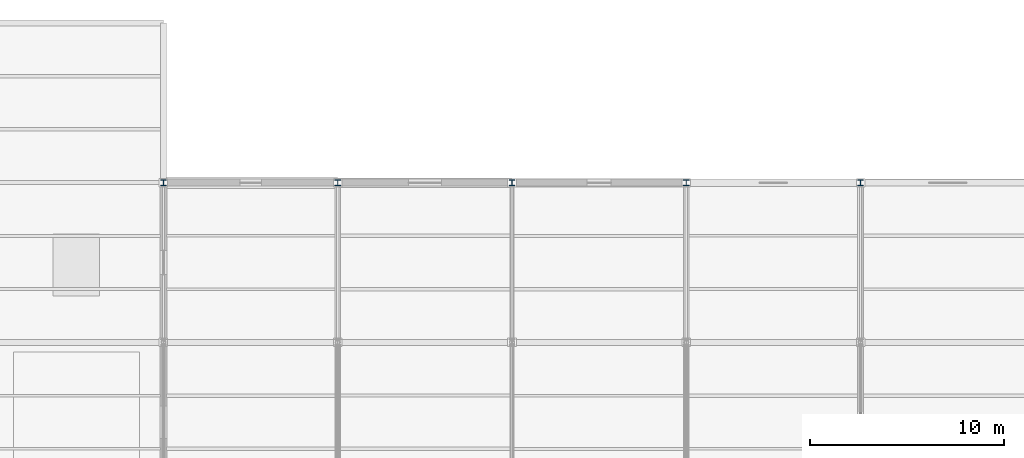
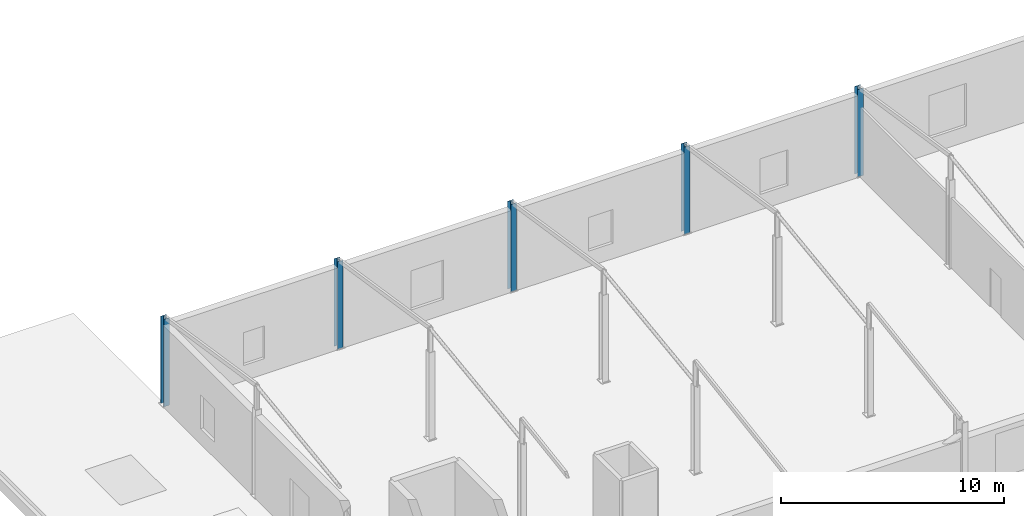
# One storey, part 5 of 54: 5 columns.
"""IFC4 building model written with IfcOpenShell, lengths in metres."""

from ifc_helpers import new_model, si_unit, direction, frame, origin, origin_2d, place, context, subcontext, project, spatial, i_section, extrude, material, material_profile, profile_set, type_object, element, save


model = new_model("IFC4")

# Units and contexts
model_context = context("Model", 3, precision=1e-05, world=origin(), true_north=direction((0.0, 1.0)))
body_context = subcontext(model_context, "Body", "Model", "MODEL_VIEW")
ifc_project = project(units=[si_unit("LENGTHUNIT", "METRE"), si_unit("AREAUNIT", "SQUARE_METRE"), si_unit("VOLUMEUNIT", "CUBIC_METRE"), si_unit("PLANEANGLEUNIT", "RADIAN"), si_unit("MASSUNIT", "GRAM", prefix="KILO")], contexts=[model_context])

# Site, building, storey
site_placement = place(None, origin())
site = spatial("IfcSite", under=ifc_project, at=site_placement, CompositionType="ELEMENT")
building_placement = place(site_placement, origin())
building = spatial("IfcBuilding", under=site, at=building_placement, Name="Sundgate Opera House", CompositionType="ELEMENT")
storey_placement = place(building_placement, frame((0.0, 0.0, 16.800048828125)))
storey = spatial("IfcBuildingStorey", under=building, at=storey_placement, Name="L03", CompositionType="ELEMENT", Elevation=16.800048828125)

# Columns
ifc_material = material(Name="Steel S355J2", Category="steel")
ifc_material_profile = material_profile(ifc_material, i_section(OverallWidth=0.300048828125, OverallDepth=0.300048828125, WebThickness=0.010986328125, FlangeThickness=0.01904296875, at=origin_2d()), Name="HEB 300")
ifc_profile_set = profile_set([ifc_material_profile], Name="Steel S355J2")
column_type = type_object("IfcColumnType", Name="CL-STL-300", PredefinedType="COLUMN", material=ifc_profile_set)
for number, where, z_axis, x_axis, name in (
    (1, (9.0, 111.75, 0.0), (0.0, 0.0, 1.0), (1.0, 0.0, 0.0), "L03 Column C0096"),
    (2, (18.0, 111.75, 0.0), (0.0, 0.0, 1.0), (1.0, 0.0, 0.0), "L03 Column C0145"),
    (3, (27.0, 111.75, 0.0), (0.0, 0.0, 1.0), (1.0, 0.0, 0.0), "L03 Column C0211"),
    (4, (36.0, 111.75, 0.0), (0.0, 0.0, 1.0), (1.0, 0.0, 0.0), "L03 Column C0276"),
    (5, (45.0, 111.75, 0.0), (0.0, 0.0, 1.0), (1.0, 0.0, 0.0), "L03 Column C0336"),
):
    element("IfcColumn", number, at=place(storey_placement, frame(where, z_axis=z_axis, x_axis=x_axis)), inside=storey, type_object=column_type, Name=name, PredefinedType="COLUMN", context=body_context, shape_type="SweptSolid", body=[
        extrude(i_section(OverallWidth=0.300048828125, OverallDepth=0.300048828125, WebThickness=0.010986328125, FlangeThickness=0.01904296875, at=origin_2d()), origin(), (0.0, 0.0, 1.0), 4.800048828125),
    ])

save(model, "model.ifc")
